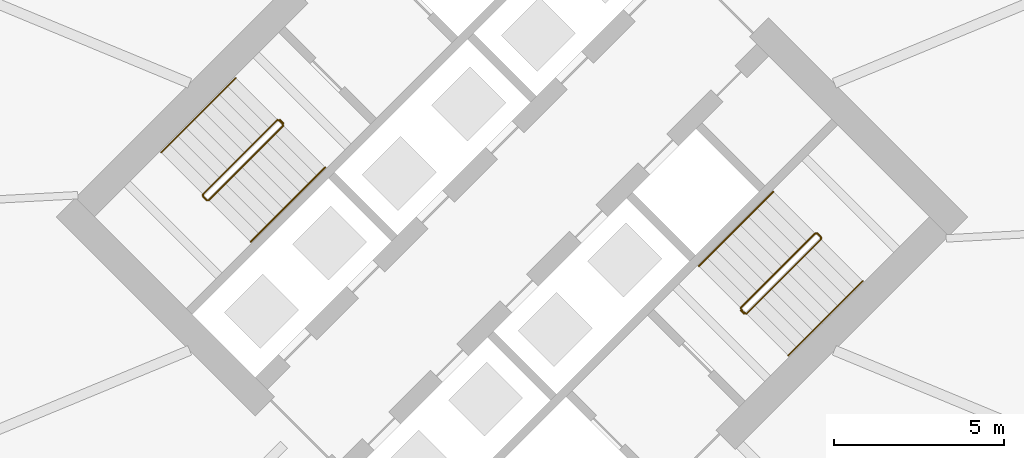
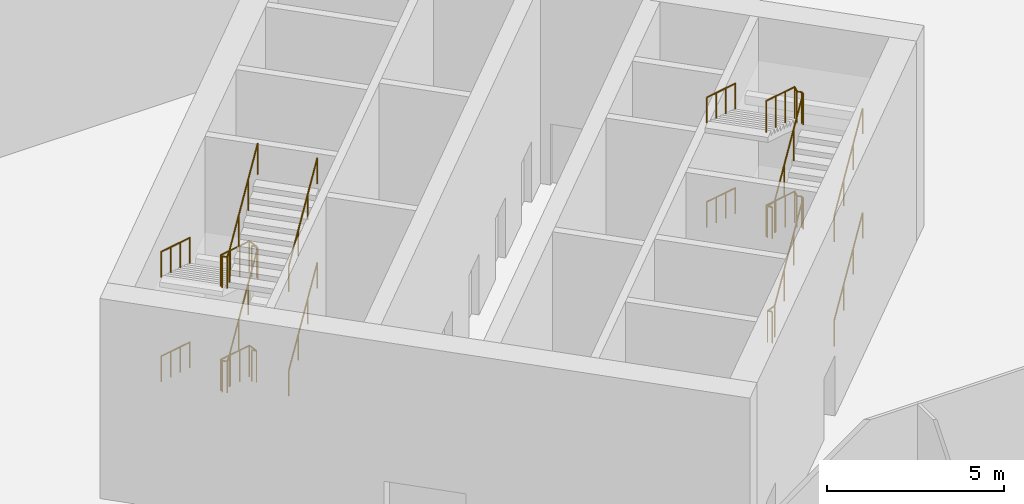
# One storey, part 42 of 48: 10 railings.
"""IFC4 building model written with IfcOpenShell, lengths in metres."""

import ifcopenshell
import ifcopenshell.guid

model = None  # the IFC model being written
_history = None  # IfcOwnerHistory: only IFC2X3 demands one
_inside = {}  # id of a spatial element -> (the spatial element, [elements in it])
_under = {}  # id of a project, library or spatial element -> (it, [spatial elements below it])
_declared = {}  # id of a project -> (the project, [libraries it declares])
_typed = {}  # id of a type object -> (the type object, [elements of that type])
_made_of = {}  # id of a material, layer set ... -> (it, [elements and type objects made of it])


def new_model(schema):
    """Start an empty IFC model of exactly this schema.

    Asked for "IFC4X3", IfcOpenShell would pick the latest addendum, in which some entities
    have other attributes; the version numbers below select the first issue.
    IFC2X3 requires an IfcOwnerHistory on every rooted entity: one is made here for all.
    """
    global model, _history
    if schema == "IFC4X3":
        model = ifcopenshell.file(schema_version=(4, 3, 0, 0))
    else:
        model = ifcopenshell.file(schema=schema)
    _inside.clear()
    _under.clear()
    _declared.clear()
    _typed.clear()
    _made_of.clear()
    _history = None
    if model.schema == "IFC2X3":
        org = make("IfcOrganization", Name="unknown")
        user = make(
            "IfcPersonAndOrganization",
            ThePerson=make("IfcPerson", FamilyName="unknown"),
            TheOrganization=org,
        )
        app = make(
            "IfcApplication",
            ApplicationDeveloper=org,
            Version="unknown",
            ApplicationFullName="unknown",
            ApplicationIdentifier="unknown",
        )
        _history = make(
            "IfcOwnerHistory",
            OwningUser=user,
            OwningApplication=app,
            ChangeAction="ADDED",
            CreationDate=0,
        )
    return model


def make(cls, **values):
    """One entity of the class cls with the attributes given. An attribute that is None is left unset."""
    return model.create_entity(
        cls, **{name: value for name, value in values.items() if value is not None}
    )


def rooted(cls, **values):
    """An entity with a GlobalId (a new one), such as an element, a storey or a relation."""
    return make(cls, GlobalId=ifcopenshell.guid.new(), OwnerHistory=_history, **values)


def si_unit(unit_type, name, prefix=None):
    """IfcSIUnit, for example si_unit("LENGTHUNIT", "METRE", prefix="MILLI")."""
    return make("IfcSIUnit", UnitType=unit_type, Prefix=prefix, Name=name)


def assignment(units):
    """IfcUnitAssignment: the units of a project."""
    return None if units is None else make("IfcUnitAssignment", Units=units)


def point(xyz):
    """IfcCartesianPoint."""
    return None if xyz is None else make("IfcCartesianPoint", Coordinates=xyz)


def direction(xyz):
    """IfcDirection."""
    return None if xyz is None else make("IfcDirection", DirectionRatios=xyz)


def frame(location, z_axis=None, x_axis=None):
    """IfcAxis2Placement3D, a coordinate frame: its origin and axes. An axis left out is left unset."""
    return make(
        "IfcAxis2Placement3D",
        Location=point(location),
        Axis=direction(z_axis),
        RefDirection=direction(x_axis),
    )


def frame_2d(location, x_axis=None):
    """IfcAxis2Placement2D, a coordinate frame in the plane: its origin and x axis."""
    return make(
        "IfcAxis2Placement2D", Location=point(location), RefDirection=direction(x_axis)
    )


def origin():
    """The frame at (0, 0, 0) with its axes left unset."""
    return frame((0.0, 0.0, 0.0))


def origin_2d():
    """The frame at (0, 0) in the plane with its x axis left unset."""
    return frame_2d((0.0, 0.0))


def place(relative_to, where):
    """IfcLocalPlacement: puts the frame where relative to a parent placement (None: the world)."""
    return make(
        "IfcLocalPlacement", PlacementRelTo=relative_to, RelativePlacement=where
    )


def context(
    kind, dimensions, precision=None, world=None, true_north=None, identifier=None
):
    """IfcGeometricRepresentationContext, for example the 3D "Model" context."""
    return make(
        "IfcGeometricRepresentationContext",
        ContextIdentifier=identifier,
        ContextType=kind,
        CoordinateSpaceDimension=dimensions,
        Precision=precision,
        WorldCoordinateSystem=world,
        TrueNorth=true_north,
    )


def subcontext(parent, identifier, kind, view, scale=None):
    """IfcGeometricRepresentationSubContext, for example "Body" below "Model"."""
    return make(
        "IfcGeometricRepresentationSubContext",
        ContextIdentifier=identifier,
        ContextType=kind,
        ParentContext=parent,
        TargetScale=scale,
        TargetView=view,
    )


def project(units=None, contexts=None):
    """IfcProject with its units and contexts."""
    return rooted(
        "IfcProject",
        Name="project",
        RepresentationContexts=contexts,
        UnitsInContext=assignment(units),
    )


def spatial(cls, under=None, at=None, **own):
    """A site, building, storey or space (cls), placed at a placement, below another one or the project."""
    s = rooted(cls, ObjectPlacement=at, **own)
    if under is not None:
        _under.setdefault(under.id(), (under, []))[1].append(s)
    return s


def profile(cls, at=None, kind="AREA", **sizes):
    """A parametric profile (cls). Its sizes go by their IFC names, for example OverallWidth=200.0."""
    return make(cls, ProfileType=kind, Position=at, **sizes)


def circle(**sizes):
    """IfcCircleProfileDef."""
    return profile("IfcCircleProfileDef", **sizes)


def extrude(swept, where, along, depth):
    """IfcExtrudedAreaSolid: the profile swept, set in the frame where, extruded along a direction by depth."""
    return make(
        "IfcExtrudedAreaSolid",
        SweptArea=swept,
        Position=where,
        ExtrudedDirection=direction(along),
        Depth=depth,
    )


def shape(context_of_items, identifier, shape_type, items):
    """IfcShapeRepresentation: the items that make up one representation, for example the "Body"."""
    return make(
        "IfcShapeRepresentation",
        ContextOfItems=context_of_items,
        RepresentationIdentifier=identifier,
        RepresentationType=shape_type,
        Items=items,
    )


def material(Name=None, Category=None):
    """IfcMaterial."""
    return make("IfcMaterial", Name=Name, Category=Category)


def made_of(thing, what):
    """Note that an element or type object is made of a material, layer set ...; save() writes the relation."""
    if what is not None:
        _made_of.setdefault(what.id(), (what, []))[1].append(thing)
    return thing


def type_object(cls, material=None, **own):
    """A type object (cls), such as IfcWallType, which elements share."""
    return made_of(rooted(cls, **own), material)


def element(
    cls,
    number,
    at=None,
    inside=None,
    cuts=None,
    type_object=None,
    material=None,
    context=None,
    identifier="Body",
    shape_type=None,
    held_by="IfcProductDefinitionShape",
    body=None,
    shapes=None,
    **own,
):
    """One element of the class cls, such as IfcWall. Its Tag is "e" and its number.

    at: its placement. inside: the storey or other place that contains it. cuts: it is an
    opening in that element (IfcRelVoidsElement). A single representation is given by context,
    identifier, shape_type and body (its items); several are given by shapes. held_by: the class
    of the entity that holds the representations. save() writes the other relations.
    """
    e = rooted(cls, Tag="e%d" % number, ObjectPlacement=at, **own)
    if body is not None:
        shapes = [shape(context, identifier, shape_type, body)]
    if shapes is not None:
        e.Representation = make(held_by, Representations=shapes)
    if inside is not None:
        _inside.setdefault(inside.id(), (inside, []))[1].append(e)
    if cuts is not None:
        rooted(
            "IfcRelVoidsElement", RelatingBuildingElement=cuts, RelatedOpeningElement=e
        )
    if type_object is not None:
        _typed.setdefault(type_object.id(), (type_object, []))[1].append(e)
    return made_of(e, material)


def aggregate(whole, parts):
    """IfcRelAggregates: a whole, such as a stair, and the parts it consists of."""
    return rooted("IfcRelAggregates", RelatingObject=whole, RelatedObjects=parts)


def save(model, path):
    """Write the relations noted so far, then the file.

    IfcRelAggregates (storeys below a building ...), IfcRelContainedInSpatialStructure (elements
    in a storey), IfcRelDefinesByType, IfcRelAssociatesMaterial and IfcRelDeclares: one each for
    every whole, place, type object, material and project.
    """
    for whole, parts in _under.values():
        aggregate(whole, parts)
    for where, things in _inside.values():
        rooted(
            "IfcRelContainedInSpatialStructure",
            RelatedElements=things,
            RelatingStructure=where,
        )
    for kind, things in _typed.values():
        rooted("IfcRelDefinesByType", RelatedObjects=things, RelatingType=kind)
    for what, things in _made_of.values():
        rooted("IfcRelAssociatesMaterial", RelatedObjects=things, RelatingMaterial=what)
    for by, libraries in _declared.values():
        rooted("IfcRelDeclares", RelatingContext=by, RelatedDefinitions=libraries)
    model.write(path)


model = new_model("IFC4")

# Units and contexts
model_context = context("Model", 3, precision=1e-05, world=origin(), true_north=direction((0.0, 1.0)))
body_context = subcontext(model_context, "Body", "Model", "MODEL_VIEW")
ifc_project = project(units=[si_unit("LENGTHUNIT", "METRE"), si_unit("AREAUNIT", "SQUARE_METRE"), si_unit("VOLUMEUNIT", "CUBIC_METRE"), si_unit("PLANEANGLEUNIT", "RADIAN"), si_unit("MASSUNIT", "GRAM", prefix="KILO")], contexts=[model_context])

# Site, building, storey
site_placement = place(None, origin())
site = spatial("IfcSite", under=ifc_project, at=site_placement, CompositionType="ELEMENT")
building_placement = place(site_placement, origin())
building = spatial("IfcBuilding", under=site, at=building_placement, Name="Ogive Gate Towers", CompositionType="ELEMENT")
storey_placement = place(building_placement, origin())
storey = spatial("IfcBuildingStorey", under=building, at=storey_placement, Name="L00", CompositionType="ELEMENT", Elevation=0.0)

# Railings
ifc_material = material(Name="Stainless steel", Category="steel")
railing_type_1 = type_object("IfcRailingType", Name="Stair guard 1100", PredefinedType="GUARDRAIL", material=ifc_material)
railing_1_placement = place(storey_placement, frame((29.15869140625, 2.8603515625, 0.0)))
element("IfcRailing", 1, at=railing_1_placement, inside=storey, type_object=railing_type_1, Name="L00 ST1 stair guard 1", PredefinedType="GUARDRAIL", context=body_context, shape_type="SweptSolid", body=[
    extrude(circle(Radius=0.02392578125, at=origin_2d()), frame((0.0, 0.0, 1.076171875), z_axis=(0.707106781187, -0.707106781187, 0.0), x_axis=(0.707106781187, 0.707106781187, 0.0)), (0.0, 0.0, 1.0), 0.14501953125),
    extrude(circle(Radius=0.02392578125, at=origin_2d()), frame((0.1025390625, -0.1025390625, 1.076171875), z_axis=(-0.641307342375, 0.379899977147, 0.666634007518), x_axis=(-0.509669330572, -0.860370369942, 0.0)), (0.0, 0.0, 1.0), 0.27001953125),
    extrude(circle(Radius=0.02392578125, at=origin_2d()), frame((-0.070556640625, 0.0, 1.255859375), z_axis=(-0.626899847587, -0.626899847587, 0.462593949582), x_axis=(0.707106781187, -0.707106781187, 0.0)), (0.0, 0.0, 1.0), 3.502197265625),
    extrude(circle(Radius=0.02392578125, at=origin_2d()), frame((-2.26611328125, -2.195556640625, 2.8759765625), z_axis=(0.0, -1.0, 0.0), x_axis=(1.0, 0.0, 0.0)), (0.0, 0.0, 1.0), 0.07080078125),
    extrude(circle(Radius=0.02392578125, at=origin_2d()), frame((-2.26611328125, -2.266357421875, 2.8759765625), z_axis=(0.706263482406, -0.707949075443, 0.0), x_axis=(0.707949075443, 0.706263482406, 0.0)), (0.0, 0.0, 1.0), 0.144775390625),
    extrude(circle(Radius=0.02392578125, at=origin_2d()), frame((-2.163818359375, -2.368896484375, 2.8759765625), z_axis=(0.36616015681, 0.0, 0.93055184679), x_axis=(0.0, 1.0, 0.0)), (0.0, 0.0, 1.0), 0.193359375),
    extrude(circle(Radius=0.02392578125, at=origin_2d()), frame((-2.093017578125, -2.368896484375, 3.05615234375), z_axis=(0.626899847587, 0.626899847587, 0.462593949582), x_axis=(-0.707106781187, 0.707106781187, 0.0)), (0.0, 0.0, 1.0), 3.502197265625),
    extrude(circle(Radius=0.02392578125, at=origin_2d()), frame((0.1025390625, -0.17333984375, 4.67626953125), z_axis=(-0.509137664008, 0.860685098679, 0.0), x_axis=(-0.860685098679, -0.509137664008, 0.0)), (0.0, 0.0, 1.0), 0.201416015625),
    extrude(circle(Radius=0.02392578125, at=origin_2d()), frame((0.0, 0.0, 4.67626953125), z_axis=(0.707106781187, -0.707106781187, 0.0), x_axis=(0.707106781187, 0.707106781187, 0.0)), (0.0, 0.0, 1.0), 0.14501953125),
    extrude(circle(Radius=0.02392578125, at=origin_2d()), frame((0.1025390625, -0.1025390625, 4.67626953125), z_axis=(-0.641307342375, 0.379899977147, 0.666634007518), x_axis=(-0.509669330572, -0.860370369942, 0.0)), (0.0, 0.0, 1.0), 0.27001953125),
    extrude(circle(Radius=0.02392578125, at=origin_2d()), frame((-0.070556640625, 0.0, 4.85595703125), z_axis=(-0.626920062877, -0.626920062877, 0.462539154586), x_axis=(0.707106781187, -0.707106781187, 0.0)), (0.0, 0.0, 1.0), 3.502197265625),
    extrude(circle(Radius=0.02392578125, at=origin_2d()), frame((-2.26611328125, -2.195556640625, 6.47607421875), z_axis=(0.0, -1.0, 0.0), x_axis=(1.0, 0.0, 0.0)), (0.0, 0.0, 1.0), 0.07080078125),
    extrude(circle(Radius=0.02392578125, at=origin_2d()), frame((-2.26611328125, -2.266357421875, 6.47607421875), z_axis=(0.706263482406, -0.707949075443, 0.0), x_axis=(0.707949075443, 0.706263482406, 0.0)), (0.0, 0.0, 1.0), 0.144775390625),
    extrude(circle(Radius=0.02392578125, at=origin_2d()), frame((-2.163818359375, -2.368896484375, 6.47607421875), z_axis=(0.365730408489, 0.0, 0.930720832638), x_axis=(0.0, 1.0, 0.0)), (0.0, 0.0, 1.0), 0.193603515625),
    extrude(circle(Radius=0.02392578125, at=origin_2d()), frame((-2.093017578125, -2.368896484375, 6.65625), z_axis=(0.626920062877, 0.626920062877, 0.462539154586), x_axis=(-0.707106781187, 0.707106781187, 0.0)), (0.0, 0.0, 1.0), 3.502197265625),
    extrude(circle(Radius=0.02099609375, at=origin_2d()), origin(), (0.0, 0.0, 1.0), 1.052001953125),
    extrude(circle(Radius=0.02099609375, at=origin_2d()), frame((0.1025390625, -0.1025390625, 0.0)), (0.0, 0.0, 1.0), 1.052001953125),
    extrude(circle(Radius=0.02099609375, at=origin_2d()), frame((-0.070556640625, 0.0, 0.179931640625)), (0.0, 0.0, 1.0), 1.052001953125),
    extrude(circle(Radius=0.02099609375, at=origin_2d()), frame((-0.802490234375, -0.73193359375, 0.719970703125)), (0.0, 0.0, 1.0), 1.052001953125),
    extrude(circle(Radius=0.02099609375, at=origin_2d()), frame((-1.5341796875, -1.463623046875, 1.260009765625)), (0.0, 0.0, 1.0), 1.052001953125),
    extrude(circle(Radius=0.02099609375, at=origin_2d()), frame((-2.26611328125, -2.195556640625, 1.800048828125)), (0.0, 0.0, 1.0), 1.052001953125),
    extrude(circle(Radius=0.02099609375, at=origin_2d()), frame((-2.26611328125, -2.266357421875, 1.800048828125)), (0.0, 0.0, 1.0), 1.052001953125),
    extrude(circle(Radius=0.02099609375, at=origin_2d()), frame((-2.163818359375, -2.368896484375, 1.800048828125)), (0.0, 0.0, 1.0), 1.052001953125),
    extrude(circle(Radius=0.02099609375, at=origin_2d()), frame((-2.093017578125, -2.368896484375, 1.97998046875)), (0.0, 0.0, 1.0), 1.052001953125),
    extrude(circle(Radius=0.02099609375, at=origin_2d()), frame((-1.361083984375, -1.636962890625, 2.52001953125)), (0.0, 0.0, 1.0), 1.052001953125),
    extrude(circle(Radius=0.02099609375, at=origin_2d()), frame((-0.62939453125, -0.9052734375, 3.06005859375)), (0.0, 0.0, 1.0), 1.052001953125),
    extrude(circle(Radius=0.02099609375, at=origin_2d()), frame((0.1025390625, -0.17333984375, 3.60009765625)), (0.0, 0.0, 1.0), 1.052001953125),
    extrude(circle(Radius=0.02099609375, at=origin_2d()), frame((0.0, 0.0, 3.60009765625)), (0.0, 0.0, 1.0), 1.052001953125),
    extrude(circle(Radius=0.02099609375, at=origin_2d()), frame((0.1025390625, -0.1025390625, 3.60009765625)), (0.0, 0.0, 1.0), 1.052001953125),
    extrude(circle(Radius=0.02099609375, at=origin_2d()), frame((-0.070556640625, 0.0, 3.780029296875)), (0.0, 0.0, 1.0), 1.052001953125),
    extrude(circle(Radius=0.02099609375, at=origin_2d()), frame((-0.802490234375, -0.73193359375, 4.320068359375)), (0.0, 0.0, 1.0), 1.052001953125),
    extrude(circle(Radius=0.02099609375, at=origin_2d()), frame((-1.5341796875, -1.463623046875, 4.85986328125)), (0.0, 0.0, 1.0), 1.052001953125),
    extrude(circle(Radius=0.02099609375, at=origin_2d()), frame((-2.26611328125, -2.195556640625, 5.39990234375)), (0.0, 0.0, 1.0), 1.052001953125),
    extrude(circle(Radius=0.02099609375, at=origin_2d()), frame((-2.26611328125, -2.266357421875, 5.39990234375)), (0.0, 0.0, 1.0), 1.052001953125),
    extrude(circle(Radius=0.02099609375, at=origin_2d()), frame((-2.163818359375, -2.368896484375, 5.39990234375)), (0.0, 0.0, 1.0), 1.052001953125),
    extrude(circle(Radius=0.02099609375, at=origin_2d()), frame((-2.093017578125, -2.368896484375, 5.580078125)), (0.0, 0.0, 1.0), 1.052001953125),
    extrude(circle(Radius=0.02099609375, at=origin_2d()), frame((-1.361083984375, -1.636962890625, 6.1201171875)), (0.0, 0.0, 1.0), 1.052001953125),
    extrude(circle(Radius=0.02099609375, at=origin_2d()), frame((-0.62939453125, -0.9052734375, 6.659912109375)), (0.0, 0.0, 1.0), 1.052001953125),
    extrude(circle(Radius=0.02099609375, at=origin_2d()), frame((0.1025390625, -0.17333984375, 7.199951171875)), (0.0, 0.0, 1.0), 1.052001953125),
])
railing_2_placement = place(storey_placement, frame((42.84130859375, -2.8603515625, 0.0)))
element("IfcRailing", 2, at=railing_2_placement, inside=storey, type_object=railing_type_1, Name="L00 ST2 stair guard 1", PredefinedType="GUARDRAIL", context=body_context, shape_type="SweptSolid", body=[
    extrude(circle(Radius=0.02392578125, at=origin_2d()), frame((0.0, 0.0, 1.076171875), z_axis=(-0.707106781187, 0.707106781187, 0.0), x_axis=(-0.707106781187, -0.707106781187, 0.0)), (0.0, 0.0, 1.0), 0.14501953125),
    extrude(circle(Radius=0.02392578125, at=origin_2d()), frame((-0.1025390625, 0.1025390625, 1.076171875), z_axis=(0.641307342375, -0.379899977147, 0.666634007518), x_axis=(0.509669330572, 0.860370369942, 0.0)), (0.0, 0.0, 1.0), 0.27001953125),
    extrude(circle(Radius=0.02392578125, at=origin_2d()), frame((0.070556640625, 0.0, 1.255859375), z_axis=(0.626899847587, 0.626899847587, 0.462593949582), x_axis=(-0.707106781187, 0.707106781187, 0.0)), (0.0, 0.0, 1.0), 3.502197265625),
    extrude(circle(Radius=0.02392578125, at=origin_2d()), frame((2.26611328125, 2.195556640625, 2.8759765625), z_axis=(0.0, 1.0, 0.0), x_axis=(-1.0, 0.0, 0.0)), (0.0, 0.0, 1.0), 0.07080078125),
    extrude(circle(Radius=0.02392578125, at=origin_2d()), frame((2.26611328125, 2.266357421875, 2.8759765625), z_axis=(-0.706263482406, 0.707949075443, 0.0), x_axis=(-0.707949075443, -0.706263482406, 0.0)), (0.0, 0.0, 1.0), 0.144775390625),
    extrude(circle(Radius=0.02392578125, at=origin_2d()), frame((2.163818359375, 2.368896484375, 2.8759765625), z_axis=(-0.36616015681, 0.0, 0.93055184679), x_axis=(0.0, -1.0, 0.0)), (0.0, 0.0, 1.0), 0.193359375),
    extrude(circle(Radius=0.02392578125, at=origin_2d()), frame((2.093017578125, 2.368896484375, 3.05615234375), z_axis=(-0.626899847587, -0.626899847587, 0.462593949582), x_axis=(0.707106781187, -0.707106781187, 0.0)), (0.0, 0.0, 1.0), 3.502197265625),
    extrude(circle(Radius=0.02392578125, at=origin_2d()), frame((-0.1025390625, 0.17333984375, 4.67626953125), z_axis=(0.509137664008, -0.860685098679, 0.0), x_axis=(0.860685098679, 0.509137664008, 0.0)), (0.0, 0.0, 1.0), 0.201416015625),
    extrude(circle(Radius=0.02392578125, at=origin_2d()), frame((0.0, 0.0, 4.67626953125), z_axis=(-0.707106781187, 0.707106781187, 0.0), x_axis=(-0.707106781187, -0.707106781187, 0.0)), (0.0, 0.0, 1.0), 0.14501953125),
    extrude(circle(Radius=0.02392578125, at=origin_2d()), frame((-0.1025390625, 0.1025390625, 4.67626953125), z_axis=(0.641307342375, -0.379899977147, 0.666634007518), x_axis=(0.509669330572, 0.860370369942, 0.0)), (0.0, 0.0, 1.0), 0.27001953125),
    extrude(circle(Radius=0.02392578125, at=origin_2d()), frame((0.070556640625, 0.0, 4.85595703125), z_axis=(0.626920062877, 0.626920062877, 0.462539154586), x_axis=(-0.707106781187, 0.707106781187, 0.0)), (0.0, 0.0, 1.0), 3.502197265625),
    extrude(circle(Radius=0.02392578125, at=origin_2d()), frame((2.26611328125, 2.195556640625, 6.47607421875), z_axis=(0.0, 1.0, 0.0), x_axis=(-1.0, 0.0, 0.0)), (0.0, 0.0, 1.0), 0.07080078125),
    extrude(circle(Radius=0.02392578125, at=origin_2d()), frame((2.26611328125, 2.266357421875, 6.47607421875), z_axis=(-0.706263482406, 0.707949075443, 0.0), x_axis=(-0.707949075443, -0.706263482406, 0.0)), (0.0, 0.0, 1.0), 0.144775390625),
    extrude(circle(Radius=0.02392578125, at=origin_2d()), frame((2.163818359375, 2.368896484375, 6.47607421875), z_axis=(-0.365730408489, 0.0, 0.930720832638), x_axis=(0.0, -1.0, 0.0)), (0.0, 0.0, 1.0), 0.193603515625),
    extrude(circle(Radius=0.02392578125, at=origin_2d()), frame((2.093017578125, 2.368896484375, 6.65625), z_axis=(-0.626920062877, -0.626920062877, 0.462539154586), x_axis=(0.707106781187, -0.707106781187, 0.0)), (0.0, 0.0, 1.0), 3.502197265625),
    extrude(circle(Radius=0.02099609375, at=origin_2d()), origin(), (0.0, 0.0, 1.0), 1.052001953125),
    extrude(circle(Radius=0.02099609375, at=origin_2d()), frame((-0.1025390625, 0.1025390625, 0.0)), (0.0, 0.0, 1.0), 1.052001953125),
    extrude(circle(Radius=0.02099609375, at=origin_2d()), frame((0.070556640625, 0.0, 0.179931640625)), (0.0, 0.0, 1.0), 1.052001953125),
    extrude(circle(Radius=0.02099609375, at=origin_2d()), frame((0.802490234375, 0.73193359375, 0.719970703125)), (0.0, 0.0, 1.0), 1.052001953125),
    extrude(circle(Radius=0.02099609375, at=origin_2d()), frame((1.5341796875, 1.463623046875, 1.260009765625)), (0.0, 0.0, 1.0), 1.052001953125),
    extrude(circle(Radius=0.02099609375, at=origin_2d()), frame((2.26611328125, 2.195556640625, 1.800048828125)), (0.0, 0.0, 1.0), 1.052001953125),
    extrude(circle(Radius=0.02099609375, at=origin_2d()), frame((2.26611328125, 2.266357421875, 1.800048828125)), (0.0, 0.0, 1.0), 1.052001953125),
    extrude(circle(Radius=0.02099609375, at=origin_2d()), frame((2.163818359375, 2.368896484375, 1.800048828125)), (0.0, 0.0, 1.0), 1.052001953125),
    extrude(circle(Radius=0.02099609375, at=origin_2d()), frame((2.093017578125, 2.368896484375, 1.97998046875)), (0.0, 0.0, 1.0), 1.052001953125),
    extrude(circle(Radius=0.02099609375, at=origin_2d()), frame((1.361083984375, 1.636962890625, 2.52001953125)), (0.0, 0.0, 1.0), 1.052001953125),
    extrude(circle(Radius=0.02099609375, at=origin_2d()), frame((0.62939453125, 0.9052734375, 3.06005859375)), (0.0, 0.0, 1.0), 1.052001953125),
    extrude(circle(Radius=0.02099609375, at=origin_2d()), frame((-0.1025390625, 0.17333984375, 3.60009765625)), (0.0, 0.0, 1.0), 1.052001953125),
    extrude(circle(Radius=0.02099609375, at=origin_2d()), frame((0.0, 0.0, 3.60009765625)), (0.0, 0.0, 1.0), 1.052001953125),
    extrude(circle(Radius=0.02099609375, at=origin_2d()), frame((-0.1025390625, 0.1025390625, 3.60009765625)), (0.0, 0.0, 1.0), 1.052001953125),
    extrude(circle(Radius=0.02099609375, at=origin_2d()), frame((0.070556640625, 0.0, 3.780029296875)), (0.0, 0.0, 1.0), 1.052001953125),
    extrude(circle(Radius=0.02099609375, at=origin_2d()), frame((0.802490234375, 0.73193359375, 4.320068359375)), (0.0, 0.0, 1.0), 1.052001953125),
    extrude(circle(Radius=0.02099609375, at=origin_2d()), frame((1.5341796875, 1.463623046875, 4.85986328125)), (0.0, 0.0, 1.0), 1.052001953125),
    extrude(circle(Radius=0.02099609375, at=origin_2d()), frame((2.26611328125, 2.195556640625, 5.39990234375)), (0.0, 0.0, 1.0), 1.052001953125),
    extrude(circle(Radius=0.02099609375, at=origin_2d()), frame((2.26611328125, 2.266357421875, 5.39990234375)), (0.0, 0.0, 1.0), 1.052001953125),
    extrude(circle(Radius=0.02099609375, at=origin_2d()), frame((2.163818359375, 2.368896484375, 5.39990234375)), (0.0, 0.0, 1.0), 1.052001953125),
    extrude(circle(Radius=0.02099609375, at=origin_2d()), frame((2.093017578125, 2.368896484375, 5.580078125)), (0.0, 0.0, 1.0), 1.052001953125),
    extrude(circle(Radius=0.02099609375, at=origin_2d()), frame((1.361083984375, 1.636962890625, 6.1201171875)), (0.0, 0.0, 1.0), 1.052001953125),
    extrude(circle(Radius=0.02099609375, at=origin_2d()), frame((0.62939453125, 0.9052734375, 6.659912109375)), (0.0, 0.0, 1.0), 1.052001953125),
    extrude(circle(Radius=0.02099609375, at=origin_2d()), frame((-0.1025390625, 0.17333984375, 7.199951171875)), (0.0, 0.0, 1.0), 1.052001953125),
])
railing_type_2 = type_object("IfcRailingType", Name="Stair handrail 900", PredefinedType="HANDRAIL", material=ifc_material)
railing_3_placement = place(storey_placement, frame((27.857666015625, 4.090576171875, 0.179931640625)))
element("IfcRailing", 3, at=railing_3_placement, inside=storey, type_object=railing_type_2, Name="L00 ST1 stair handrail 1", PredefinedType="HANDRAIL", context=body_context, shape_type="SweptSolid", body=[
    extrude(circle(Radius=0.02392578125, at=origin_2d()), frame((0.0, 0.0, 0.8759765625), z_axis=(-0.626899847587, -0.626899847587, 0.462593949582), x_axis=(0.707106781187, -0.707106781187, 0.0)), (0.0, 0.0, 1.0), 3.502197265625),
    extrude(circle(Radius=0.02099609375, at=origin_2d()), origin(), (0.0, 0.0, 1.0), 0.851806640625),
    extrude(circle(Radius=0.02099609375, at=origin_2d()), frame((-0.73193359375, -0.73193359375, 0.5400390625)), (0.0, 0.0, 1.0), 0.851806640625),
    extrude(circle(Radius=0.02099609375, at=origin_2d()), frame((-1.463623046875, -1.463623046875, 1.080078125)), (0.0, 0.0, 1.0), 0.851806640625),
    extrude(circle(Radius=0.02099609375, at=origin_2d()), frame((-2.195556640625, -2.195556640625, 1.6201171875)), (0.0, 0.0, 1.0), 0.851806640625),
])
railing_4_placement = place(storey_placement, frame((28.296142578125, -0.739013671875, 1.97998046875)))
element("IfcRailing", 4, at=railing_4_placement, inside=storey, type_object=railing_type_2, Name="L00 ST1 stair handrail 2", PredefinedType="HANDRAIL", context=body_context, shape_type="SweptSolid", body=[
    extrude(circle(Radius=0.02392578125, at=origin_2d()), frame((0.0, 0.0, 0.8759765625), z_axis=(0.626899847587, 0.626899847587, 0.462593949582), x_axis=(-0.707106781187, 0.707106781187, 0.0)), (0.0, 0.0, 1.0), 3.502197265625),
    extrude(circle(Radius=0.02099609375, at=origin_2d()), origin(), (0.0, 0.0, 1.0), 0.851806640625),
    extrude(circle(Radius=0.02099609375, at=origin_2d()), frame((0.73193359375, 0.73193359375, 0.5400390625)), (0.0, 0.0, 1.0), 0.851806640625),
    extrude(circle(Radius=0.02099609375, at=origin_2d()), frame((1.463623046875, 1.463623046875, 1.080078125)), (0.0, 0.0, 1.0), 0.851806640625),
    extrude(circle(Radius=0.02099609375, at=origin_2d()), frame((2.195556640625, 2.195556640625, 1.6201171875)), (0.0, 0.0, 1.0), 0.851806640625),
])
railing_5_placement = place(storey_placement, frame((27.857666015625, 4.090576171875, 3.780029296875)))
element("IfcRailing", 5, at=railing_5_placement, inside=storey, type_object=railing_type_2, Name="L00 ST1 stair handrail 3", PredefinedType="HANDRAIL", context=body_context, shape_type="SweptSolid", body=[
    extrude(circle(Radius=0.02392578125, at=origin_2d()), frame((0.0, 0.0, 0.8759765625), z_axis=(-0.626920062877, -0.626920062877, 0.462539154586), x_axis=(0.707106781187, -0.707106781187, 0.0)), (0.0, 0.0, 1.0), 3.502197265625),
    extrude(circle(Radius=0.02099609375, at=origin_2d()), origin(), (0.0, 0.0, 1.0), 0.851806640625),
    extrude(circle(Radius=0.02099609375, at=origin_2d()), frame((-0.73193359375, -0.73193359375, 0.5400390625)), (0.0, 0.0, 1.0), 0.851806640625),
    extrude(circle(Radius=0.02099609375, at=origin_2d()), frame((-1.463623046875, -1.463623046875, 1.079833984375)), (0.0, 0.0, 1.0), 0.851806640625),
    extrude(circle(Radius=0.02099609375, at=origin_2d()), frame((-2.195556640625, -2.195556640625, 1.619873046875)), (0.0, 0.0, 1.0), 0.851806640625),
])
railing_6_placement = place(storey_placement, frame((28.296142578125, -0.739013671875, 5.580078125)))
element("IfcRailing", 6, at=railing_6_placement, inside=storey, type_object=railing_type_2, Name="L00 ST1 stair handrail 4", PredefinedType="HANDRAIL", context=body_context, shape_type="SweptSolid", body=[
    extrude(circle(Radius=0.02392578125, at=origin_2d()), frame((0.0, 0.0, 0.8759765625), z_axis=(0.626920062877, 0.626920062877, 0.462539154586), x_axis=(-0.707106781187, 0.707106781187, 0.0)), (0.0, 0.0, 1.0), 3.502197265625),
    extrude(circle(Radius=0.02099609375, at=origin_2d()), origin(), (0.0, 0.0, 1.0), 0.851806640625),
    extrude(circle(Radius=0.02099609375, at=origin_2d()), frame((0.73193359375, 0.73193359375, 0.5400390625)), (0.0, 0.0, 1.0), 0.851806640625),
    extrude(circle(Radius=0.02099609375, at=origin_2d()), frame((1.463623046875, 1.463623046875, 1.079833984375)), (0.0, 0.0, 1.0), 0.851806640625),
    extrude(circle(Radius=0.02099609375, at=origin_2d()), frame((2.195556640625, 2.195556640625, 1.619873046875)), (0.0, 0.0, 1.0), 0.851806640625),
])
railing_7_placement = place(storey_placement, frame((44.142333984375, -4.090576171875, 0.179931640625)))
element("IfcRailing", 7, at=railing_7_placement, inside=storey, type_object=railing_type_2, Name="L00 ST2 stair handrail 1", PredefinedType="HANDRAIL", context=body_context, shape_type="SweptSolid", body=[
    extrude(circle(Radius=0.02392578125, at=origin_2d()), frame((0.0, 0.0, 0.8759765625), z_axis=(0.626899847587, 0.626899847587, 0.462593949582), x_axis=(-0.707106781187, 0.707106781187, 0.0)), (0.0, 0.0, 1.0), 3.502197265625),
    extrude(circle(Radius=0.02099609375, at=origin_2d()), origin(), (0.0, 0.0, 1.0), 0.851806640625),
    extrude(circle(Radius=0.02099609375, at=origin_2d()), frame((0.73193359375, 0.73193359375, 0.5400390625)), (0.0, 0.0, 1.0), 0.851806640625),
    extrude(circle(Radius=0.02099609375, at=origin_2d()), frame((1.463623046875, 1.463623046875, 1.080078125)), (0.0, 0.0, 1.0), 0.851806640625),
    extrude(circle(Radius=0.02099609375, at=origin_2d()), frame((2.195556640625, 2.195556640625, 1.6201171875)), (0.0, 0.0, 1.0), 0.851806640625),
])
railing_8_placement = place(storey_placement, frame((43.703857421875, 0.739013671875, 1.97998046875)))
element("IfcRailing", 8, at=railing_8_placement, inside=storey, type_object=railing_type_2, Name="L00 ST2 stair handrail 2", PredefinedType="HANDRAIL", context=body_context, shape_type="SweptSolid", body=[
    extrude(circle(Radius=0.02392578125, at=origin_2d()), frame((0.0, 0.0, 0.8759765625), z_axis=(-0.626899847587, -0.626899847587, 0.462593949582), x_axis=(0.707106781187, -0.707106781187, 0.0)), (0.0, 0.0, 1.0), 3.502197265625),
    extrude(circle(Radius=0.02099609375, at=origin_2d()), origin(), (0.0, 0.0, 1.0), 0.851806640625),
    extrude(circle(Radius=0.02099609375, at=origin_2d()), frame((-0.73193359375, -0.73193359375, 0.5400390625)), (0.0, 0.0, 1.0), 0.851806640625),
    extrude(circle(Radius=0.02099609375, at=origin_2d()), frame((-1.463623046875, -1.463623046875, 1.080078125)), (0.0, 0.0, 1.0), 0.851806640625),
    extrude(circle(Radius=0.02099609375, at=origin_2d()), frame((-2.195556640625, -2.195556640625, 1.6201171875)), (0.0, 0.0, 1.0), 0.851806640625),
])
railing_9_placement = place(storey_placement, frame((44.142333984375, -4.090576171875, 3.780029296875)))
element("IfcRailing", 9, at=railing_9_placement, inside=storey, type_object=railing_type_2, Name="L00 ST2 stair handrail 3", PredefinedType="HANDRAIL", context=body_context, shape_type="SweptSolid", body=[
    extrude(circle(Radius=0.02392578125, at=origin_2d()), frame((0.0, 0.0, 0.8759765625), z_axis=(0.626920062877, 0.626920062877, 0.462539154586), x_axis=(-0.707106781187, 0.707106781187, 0.0)), (0.0, 0.0, 1.0), 3.502197265625),
    extrude(circle(Radius=0.02099609375, at=origin_2d()), origin(), (0.0, 0.0, 1.0), 0.851806640625),
    extrude(circle(Radius=0.02099609375, at=origin_2d()), frame((0.73193359375, 0.73193359375, 0.5400390625)), (0.0, 0.0, 1.0), 0.851806640625),
    extrude(circle(Radius=0.02099609375, at=origin_2d()), frame((1.463623046875, 1.463623046875, 1.079833984375)), (0.0, 0.0, 1.0), 0.851806640625),
    extrude(circle(Radius=0.02099609375, at=origin_2d()), frame((2.195556640625, 2.195556640625, 1.619873046875)), (0.0, 0.0, 1.0), 0.851806640625),
])
railing_10_placement = place(storey_placement, frame((43.703857421875, 0.739013671875, 5.580078125)))
element("IfcRailing", 10, at=railing_10_placement, inside=storey, type_object=railing_type_2, Name="L00 ST2 stair handrail 4", PredefinedType="HANDRAIL", context=body_context, shape_type="SweptSolid", body=[
    extrude(circle(Radius=0.02392578125, at=origin_2d()), frame((0.0, 0.0, 0.8759765625), z_axis=(-0.626920062877, -0.626920062877, 0.462539154586), x_axis=(0.707106781187, -0.707106781187, 0.0)), (0.0, 0.0, 1.0), 3.502197265625),
    extrude(circle(Radius=0.02099609375, at=origin_2d()), origin(), (0.0, 0.0, 1.0), 0.851806640625),
    extrude(circle(Radius=0.02099609375, at=origin_2d()), frame((-0.73193359375, -0.73193359375, 0.5400390625)), (0.0, 0.0, 1.0), 0.851806640625),
    extrude(circle(Radius=0.02099609375, at=origin_2d()), frame((-1.463623046875, -1.463623046875, 1.079833984375)), (0.0, 0.0, 1.0), 0.851806640625),
    extrude(circle(Radius=0.02099609375, at=origin_2d()), frame((-2.195556640625, -2.195556640625, 1.619873046875)), (0.0, 0.0, 1.0), 0.851806640625),
])

save(model, "model.ifc")
